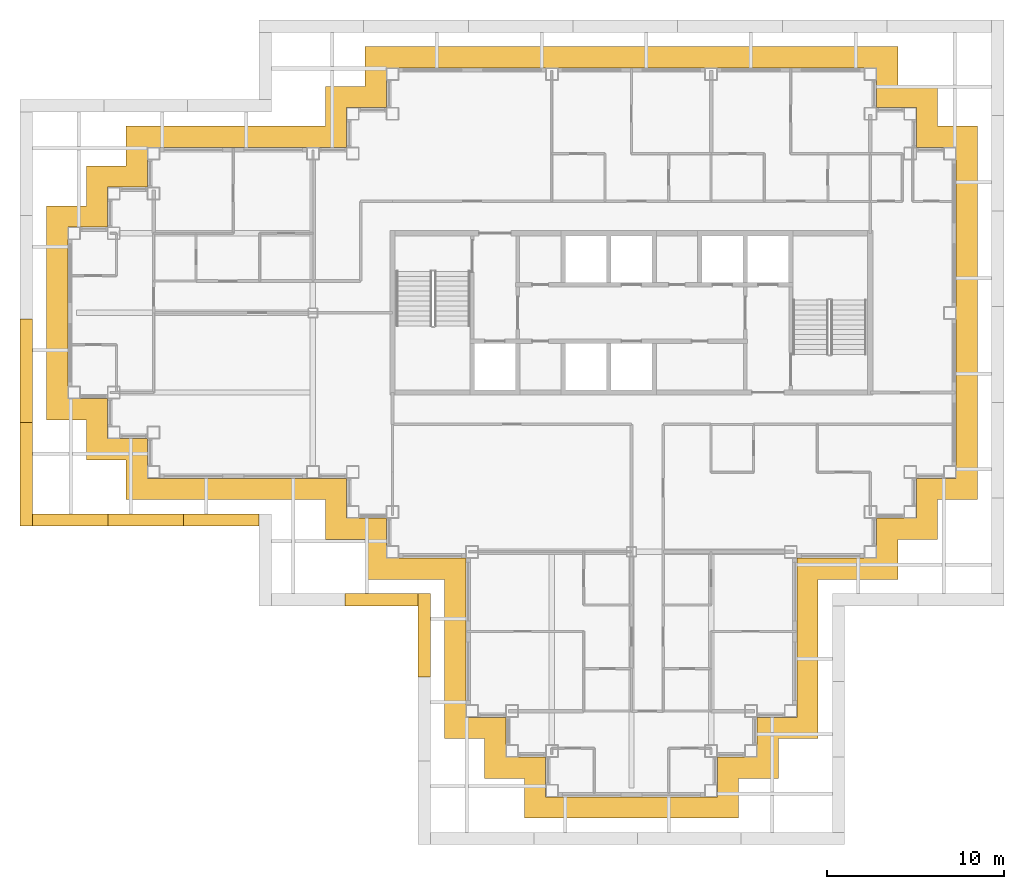
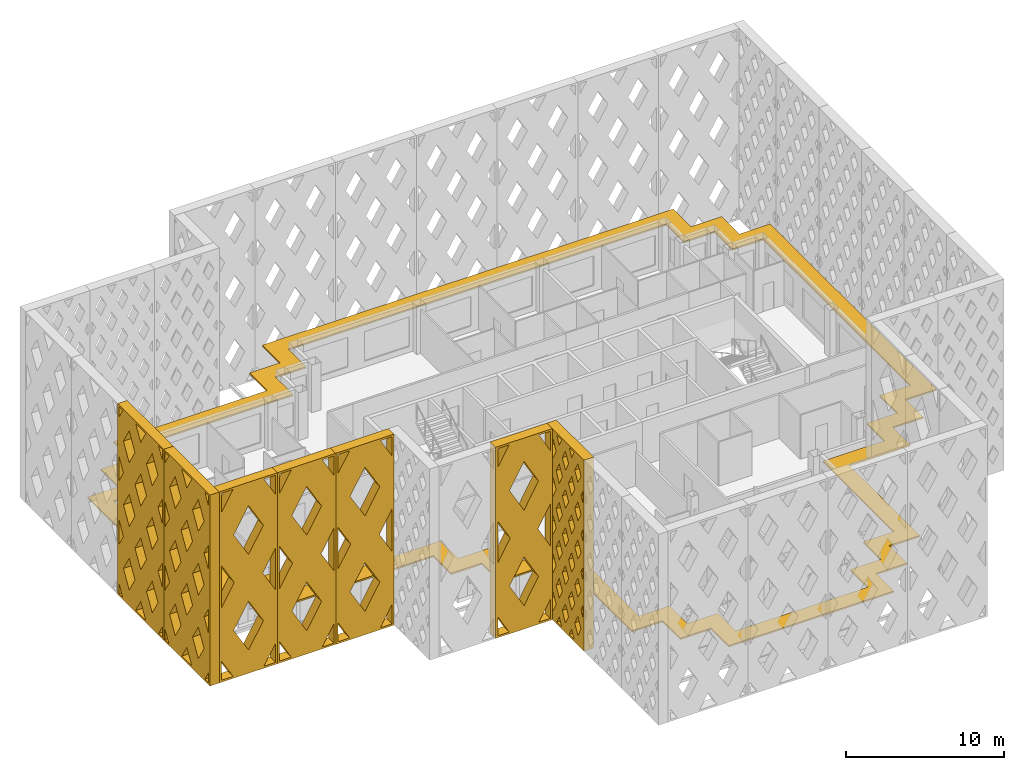
# One storey, part 12 of 17: 8 shading devices.
"""IFC4 building model written with IfcOpenShell, lengths in metres."""

from ifc_helpers import new_model, si_unit, direction, frame, origin, place, context, subcontext, project, spatial, polyline, outline, extrude, material, layer, layer_set, type_object, element, save


model = new_model("IFC4")

# Units and contexts
model_context = context("Model", 3, precision=1e-05, world=origin(), true_north=direction((0.0, 1.0)))
body_context = subcontext(model_context, "Body", "Model", "MODEL_VIEW")
ifc_project = project(units=[si_unit("LENGTHUNIT", "METRE"), si_unit("AREAUNIT", "SQUARE_METRE"), si_unit("VOLUMEUNIT", "CUBIC_METRE"), si_unit("PLANEANGLEUNIT", "RADIAN"), si_unit("MASSUNIT", "GRAM", prefix="KILO")], contexts=[model_context])

# Site, building, storey
site_placement = place(None, origin())
site = spatial("IfcSite", under=ifc_project, at=site_placement, CompositionType="ELEMENT")
building_placement = place(site_placement, origin())
building = spatial("IfcBuilding", under=site, at=building_placement, Name="Caravel Reach Hotel and Residences", CompositionType="ELEMENT")
storey_placement = place(building_placement, frame((0.0, 0.0, 192.39990234375)))
storey = spatial("IfcBuildingStorey", under=building, at=storey_placement, Name="L48", CompositionType="ELEMENT", Elevation=192.39990234375)

# Shading devices
ifc_material_1 = material(Name="Black powder-coated aluminium", Category="aluminium")
shading_device_type_1 = type_object("IfcShadingDeviceType", Name="Diamond lattice screen panel 4150 x 14800", PredefinedType="USERDEFINED", material=ifc_material_1)
shading_device_1_placement = place(storey_placement, frame((15.300048828125, 11.14990234375, 0.0), z_axis=(0.0, -1.0, 0.0), x_axis=(1.0, 0.0, 0.0)))
element("IfcShadingDevice", 1, at=shading_device_1_placement, inside=storey, type_object=shading_device_type_1, Name="Lattice screen L48-L51 10.2", ObjectType="SCREEN", PredefinedType="USERDEFINED", context=body_context, shape_type="SweptSolid", body=[
    extrude(outline(polyline([(0.0, 0.0), (4.14990234375, 0.0), (4.14990234375, 14.800048828125), (0.0, 14.800048828125), (0.0, 0.0)]), holes=[polyline([(0.97998046875, 0.14990234375), (0.14990234375, 1.6298828125), (0.14990234375, 0.14990234375), (0.97998046875, 0.14990234375)]), polyline([(1.06396484375, 7.39990234375), (0.14990234375, 9.030029296875), (0.14990234375, 5.77001953125), (1.06396484375, 7.39990234375)]), polyline([(0.14990234375, 13.170166015625), (0.97998046875, 14.64990234375), (0.14990234375, 14.64990234375), (0.14990234375, 13.170166015625)]), polyline([(2.074951171875, 5.597412109375), (1.010986328125, 3.699951171875), (2.074951171875, 1.802490234375), (3.13916015625, 3.699951171875), (2.074951171875, 5.597412109375)]), polyline([(2.074951171875, 12.997314453125), (1.010986328125, 11.10009765625), (2.074951171875, 9.20263671875), (3.13916015625, 11.10009765625), (2.074951171875, 12.997314453125)]), polyline([(4.0, 1.6298828125), (3.169921875, 0.14990234375), (4.0, 0.14990234375), (4.0, 1.6298828125)]), polyline([(3.0859375, 7.39990234375), (4.0, 5.77001953125), (4.0, 9.030029296875), (3.0859375, 7.39990234375)]), polyline([(3.169921875, 14.64990234375), (4.0, 13.170166015625), (4.0, 14.64990234375), (3.169921875, 14.64990234375)])]), origin(), (0.0, 0.0, 1.0), 0.699951171875),
])
ifc_material_2 = material(Name="Black powder-coated aluminium", Category="aluminium")
shading_device_type_2 = type_object("IfcShadingDeviceType", Name="Diamond lattice screen panel 4267 x 14800", PredefinedType="USERDEFINED", material=ifc_material_2)
for number, where, z_axis, x_axis, name in (
    (2, (-2.35009765625, 15.64990234375, 0.0), (0.0, -1.0, 0.0), (1.0, 0.0, 0.0), "Lattice screen L48-L51 8.1"),
    (3, (1.916748046875, 15.64990234375, 0.0), (0.0, -1.0, 0.0), (1.0, 0.0, 0.0), "Lattice screen L48-L51 8.2"),
    (4, (6.183349609375, 15.64990234375, 0.0), (0.0, -1.0, 0.0), (1.0, 0.0, 0.0), "Lattice screen L48-L51 8.3"),
):
    element("IfcShadingDevice", number, at=place(storey_placement, frame(where, z_axis=z_axis, x_axis=x_axis)), inside=storey, type_object=shading_device_type_2, Name=name, ObjectType="SCREEN", PredefinedType="USERDEFINED", context=body_context, shape_type="SweptSolid", body=[
        extrude(outline(polyline([(0.0, 0.0), (4.2666015625, 0.0), (4.2666015625, 14.800048828125), (0.0, 14.800048828125), (0.0, 0.0)]), holes=[polyline([(1.005615234375, 0.14990234375), (0.14990234375, 1.634033203125), (0.14990234375, 0.14990234375), (1.005615234375, 0.14990234375)]), polyline([(1.092041015625, 7.39990234375), (0.14990234375, 9.033935546875), (0.14990234375, 5.76611328125), (1.092041015625, 7.39990234375)]), polyline([(0.14990234375, 13.166015625), (1.005615234375, 14.64990234375), (0.14990234375, 14.64990234375), (0.14990234375, 13.166015625)]), polyline([(2.13330078125, 5.593994140625), (1.041259765625, 3.699951171875), (2.13330078125, 1.805908203125), (3.225341796875, 3.699951171875), (2.13330078125, 5.593994140625)]), polyline([(2.13330078125, 12.994140625), (1.041259765625, 11.10009765625), (2.13330078125, 9.205810546875), (3.225341796875, 11.10009765625), (2.13330078125, 12.994140625)]), polyline([(4.11669921875, 1.634033203125), (3.260986328125, 0.14990234375), (4.11669921875, 0.14990234375), (4.11669921875, 1.634033203125)]), polyline([(3.174560546875, 7.39990234375), (4.11669921875, 5.76611328125), (4.11669921875, 9.033935546875), (3.174560546875, 7.39990234375)]), polyline([(3.260986328125, 14.64990234375), (4.11669921875, 13.166015625), (4.11669921875, 14.64990234375), (3.260986328125, 14.64990234375)])]), origin(), (0.0, 0.0, 1.0), 0.699951171875),
    ])
ifc_material_3 = material(Name="Black powder-coated aluminium", Category="aluminium")
shading_device_type_3 = type_object("IfcShadingDeviceType", Name="Diamond lattice screen panel 4733 x 14800", PredefinedType="USERDEFINED", material=ifc_material_3)
shading_device_2_placement = place(storey_placement, frame((20.14990234375, 11.14990234375, 0.0), z_axis=(-1.0, 0.0, 0.0), x_axis=(0.0, -1.0, 0.0)))
element("IfcShadingDevice", 5, at=shading_device_2_placement, inside=storey, type_object=shading_device_type_3, Name="Lattice screen L48-L51 11.1", ObjectType="SCREEN", PredefinedType="USERDEFINED", context=body_context, shape_type="SweptSolid", body=[
    extrude(outline(polyline([(0.0, 0.0), (4.7333984375, 0.0), (4.7333984375, 14.800048828125), (0.0, 14.800048828125), (0.0, 0.0)]), holes=[polyline([(0.398681640625, 2.9599609375), (0.14990234375, 3.4267578125), (0.14990234375, 2.493408203125), (0.398681640625, 2.9599609375)]), polyline([(0.398681640625, 5.919921875), (0.14990234375, 6.38671875), (0.14990234375, 5.453369140625), (0.398681640625, 5.919921875)]), polyline([(0.398681640625, 8.8798828125), (0.14990234375, 9.3466796875), (0.14990234375, 8.413330078125), (0.398681640625, 8.8798828125)]), polyline([(0.398681640625, 11.840087890625), (0.14990234375, 12.306640625), (0.14990234375, 11.373291015625), (0.398681640625, 11.840087890625)]), polyline([(0.788818359375, 2.22802734375), (0.39013671875, 1.47998046875), (0.788818359375, 0.73193359375), (1.187744140625, 1.47998046875), (0.788818359375, 2.22802734375)]), polyline([(0.788818359375, 5.18798828125), (0.39013671875, 4.43994140625), (0.788818359375, 3.69189453125), (1.187744140625, 4.43994140625), (0.788818359375, 5.18798828125)]), polyline([(0.788818359375, 8.14794921875), (0.39013671875, 7.39990234375), (0.788818359375, 6.65185546875), (1.187744140625, 7.39990234375), (0.788818359375, 8.14794921875)]), polyline([(0.788818359375, 11.108154296875), (0.39013671875, 10.360107421875), (0.788818359375, 9.612060546875), (1.187744140625, 10.360107421875), (0.788818359375, 11.108154296875)]), polyline([(0.788818359375, 14.068115234375), (0.39013671875, 13.320068359375), (0.788818359375, 12.572021484375), (1.187744140625, 13.320068359375), (0.788818359375, 14.068115234375)]), polyline([(1.577880859375, 0.748046875), (1.259033203125, 0.14990234375), (1.896484375, 0.14990234375), (1.577880859375, 0.748046875)]), polyline([(1.577880859375, 3.7080078125), (1.178955078125, 2.9599609375), (1.577880859375, 2.2119140625), (1.9765625, 2.9599609375), (1.577880859375, 3.7080078125)]), polyline([(1.577880859375, 6.66796875), (1.178955078125, 5.919921875), (1.577880859375, 5.171875), (1.9765625, 5.919921875), (1.577880859375, 6.66796875)]), polyline([(1.577880859375, 9.6279296875), (1.178955078125, 8.8798828125), (1.577880859375, 8.1318359375), (1.9765625, 8.8798828125), (1.577880859375, 9.6279296875)]), polyline([(1.577880859375, 12.588134765625), (1.178955078125, 11.840087890625), (1.577880859375, 11.092041015625), (1.9765625, 11.840087890625), (1.577880859375, 12.588134765625)]), polyline([(1.577880859375, 14.052001953125), (1.896484375, 14.64990234375), (1.259033203125, 14.64990234375), (1.577880859375, 14.052001953125)]), polyline([(2.36669921875, 2.22802734375), (1.968017578125, 1.47998046875), (2.36669921875, 0.73193359375), (2.765380859375, 1.47998046875), (2.36669921875, 2.22802734375)]), polyline([(2.36669921875, 5.18798828125), (1.968017578125, 4.43994140625), (2.36669921875, 3.69189453125), (2.765380859375, 4.43994140625), (2.36669921875, 5.18798828125)]), polyline([(2.36669921875, 8.14794921875), (1.968017578125, 7.39990234375), (2.36669921875, 6.65185546875), (2.765380859375, 7.39990234375), (2.36669921875, 8.14794921875)]), polyline([(2.36669921875, 11.108154296875), (1.968017578125, 10.360107421875), (2.36669921875, 9.612060546875), (2.765380859375, 10.360107421875), (2.36669921875, 11.108154296875)]), polyline([(2.36669921875, 14.068115234375), (1.968017578125, 13.320068359375), (2.36669921875, 12.572021484375), (2.765380859375, 13.320068359375), (2.36669921875, 14.068115234375)]), polyline([(3.155517578125, 0.748046875), (2.836669921875, 0.14990234375), (3.474365234375, 0.14990234375), (3.155517578125, 0.748046875)]), polyline([(3.155517578125, 3.7080078125), (2.7568359375, 2.9599609375), (3.155517578125, 2.2119140625), (3.55419921875, 2.9599609375), (3.155517578125, 3.7080078125)]), polyline([(3.155517578125, 6.66796875), (2.7568359375, 5.919921875), (3.155517578125, 5.171875), (3.55419921875, 5.919921875), (3.155517578125, 6.66796875)]), polyline([(3.155517578125, 9.6279296875), (2.7568359375, 8.8798828125), (3.155517578125, 8.1318359375), (3.55419921875, 8.8798828125), (3.155517578125, 9.6279296875)]), polyline([(3.155517578125, 12.588134765625), (2.7568359375, 11.840087890625), (3.155517578125, 11.092041015625), (3.55419921875, 11.840087890625), (3.155517578125, 12.588134765625)]), polyline([(3.155517578125, 14.052001953125), (3.474365234375, 14.64990234375), (2.836669921875, 14.64990234375), (3.155517578125, 14.052001953125)]), polyline([(3.9443359375, 2.22802734375), (3.545654296875, 1.47998046875), (3.9443359375, 0.73193359375), (4.34326171875, 1.47998046875), (3.9443359375, 2.22802734375)]), polyline([(3.9443359375, 5.18798828125), (3.545654296875, 4.43994140625), (3.9443359375, 3.69189453125), (4.34326171875, 4.43994140625), (3.9443359375, 5.18798828125)]), polyline([(3.9443359375, 8.14794921875), (3.545654296875, 7.39990234375), (3.9443359375, 6.65185546875), (4.34326171875, 7.39990234375), (3.9443359375, 8.14794921875)]), polyline([(3.9443359375, 11.108154296875), (3.545654296875, 10.360107421875), (3.9443359375, 9.612060546875), (4.34326171875, 10.360107421875), (3.9443359375, 11.108154296875)]), polyline([(3.9443359375, 14.068115234375), (3.545654296875, 13.320068359375), (3.9443359375, 12.572021484375), (4.34326171875, 13.320068359375), (3.9443359375, 14.068115234375)]), polyline([(4.334716796875, 2.9599609375), (4.583251953125, 2.493408203125), (4.583251953125, 3.4267578125), (4.334716796875, 2.9599609375)]), polyline([(4.334716796875, 5.919921875), (4.583251953125, 5.453369140625), (4.583251953125, 6.38671875), (4.334716796875, 5.919921875)]), polyline([(4.334716796875, 8.8798828125), (4.583251953125, 8.413330078125), (4.583251953125, 9.3466796875), (4.334716796875, 8.8798828125)]), polyline([(4.334716796875, 11.840087890625), (4.583251953125, 11.373291015625), (4.583251953125, 12.306640625), (4.334716796875, 11.840087890625)])]), origin(), (0.0, 0.0, 1.0), 0.699951171875),
])
ifc_material_4 = material(Name="Black powder-coated aluminium", Category="aluminium")
shading_device_type_4 = type_object("IfcShadingDeviceType", Name="Diamond lattice screen panel 5850 x 14800", PredefinedType="USERDEFINED", material=ifc_material_4)
shading_device_3_placement = place(storey_placement, frame((-2.35009765625, 26.64990234375, 0.0), z_axis=(-1.0, 0.0, 0.0), x_axis=(0.0, -1.0, 0.0)))
element("IfcShadingDevice", 6, at=shading_device_3_placement, inside=storey, type_object=shading_device_type_4, Name="Lattice screen L48-L51 7.3", ObjectType="SCREEN", PredefinedType="USERDEFINED", context=body_context, shape_type="SweptSolid", body=[
    extrude(outline(polyline([(0.0, 0.0), (5.85009765625, 0.0), (5.85009765625, 14.800048828125), (0.0, 14.800048828125), (0.0, 0.0)]), holes=[polyline([(0.644775390625, 0.14990234375), (0.14990234375, 0.984375), (0.14990234375, 0.14990234375), (0.644775390625, 0.14990234375)]), polyline([(0.733642578125, 4.933349609375), (0.14990234375, 5.917724609375), (0.14990234375, 3.948974609375), (0.733642578125, 4.933349609375)]), polyline([(0.733642578125, 9.86669921875), (0.14990234375, 10.85107421875), (0.14990234375, 8.88232421875), (0.733642578125, 9.86669921875)]), polyline([(0.14990234375, 13.815673828125), (0.644775390625, 14.64990234375), (0.14990234375, 14.64990234375), (0.14990234375, 13.815673828125)]), polyline([(1.46240234375, 3.703857421875), (0.72900390625, 2.466552734375), (1.46240234375, 1.2294921875), (2.196044921875, 2.466552734375), (1.46240234375, 3.703857421875)]), polyline([(1.46240234375, 8.63720703125), (0.72900390625, 7.39990234375), (1.46240234375, 6.16259765625), (2.196044921875, 7.39990234375), (1.46240234375, 8.63720703125)]), polyline([(1.46240234375, 13.570556640625), (0.72900390625, 12.333251953125), (1.46240234375, 11.095947265625), (2.196044921875, 12.333251953125), (1.46240234375, 13.570556640625)]), polyline([(2.925048828125, 1.2373046875), (2.2802734375, 0.14990234375), (3.569580078125, 0.14990234375), (2.925048828125, 1.2373046875)]), polyline([(2.925048828125, 6.170654296875), (2.19140625, 4.933349609375), (2.925048828125, 3.696044921875), (3.65869140625, 4.933349609375), (2.925048828125, 6.170654296875)]), polyline([(2.925048828125, 11.10400390625), (2.19140625, 9.86669921875), (2.925048828125, 8.62939453125), (3.65869140625, 9.86669921875), (2.925048828125, 11.10400390625)]), polyline([(2.925048828125, 13.562744140625), (3.569580078125, 14.64990234375), (2.2802734375, 14.64990234375), (2.925048828125, 13.562744140625)]), polyline([(4.387451171875, 3.703857421875), (3.65380859375, 2.466552734375), (4.387451171875, 1.2294921875), (5.12109375, 2.466552734375), (4.387451171875, 3.703857421875)]), polyline([(4.387451171875, 8.63720703125), (3.65380859375, 7.39990234375), (4.387451171875, 6.16259765625), (5.12109375, 7.39990234375), (4.387451171875, 8.63720703125)]), polyline([(4.387451171875, 13.570556640625), (3.65380859375, 12.333251953125), (4.387451171875, 11.095947265625), (5.12109375, 12.333251953125), (4.387451171875, 13.570556640625)]), polyline([(5.699951171875, 0.984375), (5.205322265625, 0.14990234375), (5.699951171875, 0.14990234375), (5.699951171875, 0.984375)]), polyline([(5.116455078125, 4.933349609375), (5.699951171875, 3.948974609375), (5.699951171875, 5.917724609375), (5.116455078125, 4.933349609375)]), polyline([(5.116455078125, 9.86669921875), (5.699951171875, 8.88232421875), (5.699951171875, 10.85107421875), (5.116455078125, 9.86669921875)]), polyline([(5.205322265625, 14.64990234375), (5.699951171875, 13.815673828125), (5.699951171875, 14.64990234375), (5.205322265625, 14.64990234375)])]), origin(), (0.0, 0.0, 1.0), 0.699951171875),
])
shading_device_4_placement = place(storey_placement, frame((-2.35009765625, 20.800048828125, 0.0), z_axis=(-1.0, 0.0, 0.0), x_axis=(0.0, -1.0, 0.0)))
element("IfcShadingDevice", 7, at=shading_device_4_placement, inside=storey, type_object=shading_device_type_4, Name="Lattice screen L48-L51 7.4", ObjectType="SCREEN", PredefinedType="USERDEFINED", context=body_context, shape_type="SweptSolid", body=[
    extrude(outline(polyline([(0.0, 0.0), (5.85009765625, 0.0), (5.85009765625, 14.800048828125), (0.0, 14.800048828125), (0.0, 0.0)]), holes=[polyline([(0.644775390625, 0.14990234375), (0.14990234375, 0.984375), (0.14990234375, 0.14990234375), (0.644775390625, 0.14990234375)]), polyline([(0.733642578125, 4.933349609375), (0.14990234375, 5.917724609375), (0.14990234375, 3.948974609375), (0.733642578125, 4.933349609375)]), polyline([(0.733642578125, 9.86669921875), (0.14990234375, 10.85107421875), (0.14990234375, 8.88232421875), (0.733642578125, 9.86669921875)]), polyline([(0.14990234375, 13.815673828125), (0.644775390625, 14.64990234375), (0.14990234375, 14.64990234375), (0.14990234375, 13.815673828125)]), polyline([(1.46240234375, 3.703857421875), (0.72900390625, 2.466552734375), (1.46240234375, 1.2294921875), (2.196044921875, 2.466552734375), (1.46240234375, 3.703857421875)]), polyline([(1.46240234375, 8.63720703125), (0.72900390625, 7.39990234375), (1.46240234375, 6.16259765625), (2.196044921875, 7.39990234375), (1.46240234375, 8.63720703125)]), polyline([(1.46240234375, 13.570556640625), (0.72900390625, 12.333251953125), (1.46240234375, 11.095947265625), (2.196044921875, 12.333251953125), (1.46240234375, 13.570556640625)]), polyline([(2.925048828125, 1.2373046875), (2.2802734375, 0.14990234375), (3.569580078125, 0.14990234375), (2.925048828125, 1.2373046875)]), polyline([(2.925048828125, 6.170654296875), (2.19140625, 4.933349609375), (2.925048828125, 3.696044921875), (3.65869140625, 4.933349609375), (2.925048828125, 6.170654296875)]), polyline([(2.925048828125, 11.10400390625), (2.19140625, 9.86669921875), (2.925048828125, 8.62939453125), (3.65869140625, 9.86669921875), (2.925048828125, 11.10400390625)]), polyline([(2.925048828125, 13.562744140625), (3.569580078125, 14.64990234375), (2.2802734375, 14.64990234375), (2.925048828125, 13.562744140625)]), polyline([(4.387451171875, 3.703857421875), (3.65380859375, 2.466552734375), (4.387451171875, 1.2294921875), (5.12109375, 2.466552734375), (4.387451171875, 3.703857421875)]), polyline([(4.387451171875, 8.63720703125), (3.65380859375, 7.39990234375), (4.387451171875, 6.16259765625), (5.12109375, 7.39990234375), (4.387451171875, 8.63720703125)]), polyline([(4.387451171875, 13.570556640625), (3.65380859375, 12.333251953125), (4.387451171875, 11.095947265625), (5.12109375, 12.333251953125), (4.387451171875, 13.570556640625)]), polyline([(5.699951171875, 0.984375), (5.205322265625, 0.14990234375), (5.699951171875, 0.14990234375), (5.699951171875, 0.984375)]), polyline([(5.116455078125, 4.933349609375), (5.699951171875, 3.948974609375), (5.699951171875, 5.917724609375), (5.116455078125, 4.933349609375)]), polyline([(5.116455078125, 9.86669921875), (5.699951171875, 8.88232421875), (5.699951171875, 10.85107421875), (5.116455078125, 9.86669921875)]), polyline([(5.205322265625, 14.64990234375), (5.699951171875, 13.815673828125), (5.699951171875, 14.64990234375), (5.205322265625, 14.64990234375)])]), origin(), (0.0, 0.0, 1.0), 0.699951171875),
])
ifc_material_5 = material(Name="Black powder-coated aluminium", Category="aluminium")
ifc_layer = layer(ifc_material_5, 0.1201171875)
ifc_layer_set = layer_set([ifc_layer], Name="SS1 Sunshade band 1200")
shading_device_type_5 = type_object("IfcShadingDeviceType", Name="SS1 Sunshade band 1200", PredefinedType="USERDEFINED", material=ifc_layer_set)
shading_device_5_placement = place(storey_placement, frame((0.0, 0.0, 3.0400390625)))
element("IfcShadingDevice", 8, at=shading_device_5_placement, inside=storey, type_object=shading_device_type_5, Name="Sunshade L48 1", ObjectType="SUNSHADE", PredefinedType="USERDEFINED", context=body_context, shape_type="SweptSolid", body=[
    extrude(outline(polyline([(42.050048828125, 2.949951171875), (42.050048828125, 11.949951171875), (46.550048828125, 11.949951171875), (46.550048828125, 14.199951171875), (48.800048828125, 14.199951171875), (48.800048828125, 16.449951171875), (51.050048828125, 16.449951171875), (51.050048828125, 37.550048828125), (48.800048828125, 37.550048828125), (48.800048828125, 39.800048828125), (46.550048828125, 39.800048828125), (46.550048828125, 42.050048828125), (16.449951171875, 42.050048828125), (16.449951171875, 39.800048828125), (14.199951171875, 39.800048828125), (14.199951171875, 37.550048828125), (2.949951171875, 37.550048828125), (2.949951171875, 35.300048828125), (0.699951171875, 35.300048828125), (0.699951171875, 33.050048828125), (-1.550048828125, 33.050048828125), (-1.550048828125, 20.949951171875), (0.699951171875, 20.949951171875), (0.699951171875, 18.699951171875), (2.949951171875, 18.699951171875), (2.949951171875, 16.449951171875), (14.199951171875, 16.449951171875), (14.199951171875, 14.199951171875), (16.449951171875, 14.199951171875), (16.449951171875, 11.949951171875), (20.949951171875, 11.949951171875), (20.949951171875, 2.949951171875), (23.199951171875, 2.949951171875), (23.199951171875, 0.699951171875), (25.449951171875, 0.699951171875), (25.449951171875, -1.550048828125), (37.550048828125, -1.550048828125), (37.550048828125, 0.699951171875), (39.800048828125, 0.699951171875), (39.800048828125, 2.949951171875), (42.050048828125, 2.949951171875)]), holes=[polyline([(45.35009765625, 13.14990234375), (40.85009765625, 13.14990234375), (40.85009765625, 4.14990234375), (38.60009765625, 4.14990234375), (38.60009765625, 1.89990234375), (36.35009765625, 1.89990234375), (36.35009765625, -0.35009765625), (26.64990234375, -0.35009765625), (26.64990234375, 1.89990234375), (24.39990234375, 1.89990234375), (24.39990234375, 4.14990234375), (22.14990234375, 4.14990234375), (22.14990234375, 13.14990234375), (17.64990234375, 13.14990234375), (17.64990234375, 15.39990234375), (15.39990234375, 15.39990234375), (15.39990234375, 17.64990234375), (4.14990234375, 17.64990234375), (4.14990234375, 19.89990234375), (1.89990234375, 19.89990234375), (1.89990234375, 22.14990234375), (-0.35009765625, 22.14990234375), (-0.35009765625, 31.85009765625), (1.89990234375, 31.85009765625), (1.89990234375, 34.10009765625), (4.14990234375, 34.10009765625), (4.14990234375, 36.35009765625), (15.39990234375, 36.35009765625), (15.39990234375, 38.60009765625), (17.64990234375, 38.60009765625), (17.64990234375, 40.85009765625), (45.35009765625, 40.85009765625), (45.35009765625, 38.60009765625), (47.60009765625, 38.60009765625), (47.60009765625, 36.35009765625), (49.85009765625, 36.35009765625), (49.85009765625, 17.64990234375), (47.60009765625, 17.64990234375), (47.60009765625, 15.39990234375), (45.35009765625, 15.39990234375), (45.35009765625, 13.14990234375)])]), origin(), (0.0, 0.0, 1.0), 0.1201171875),
])

save(model, "model.ifc")
